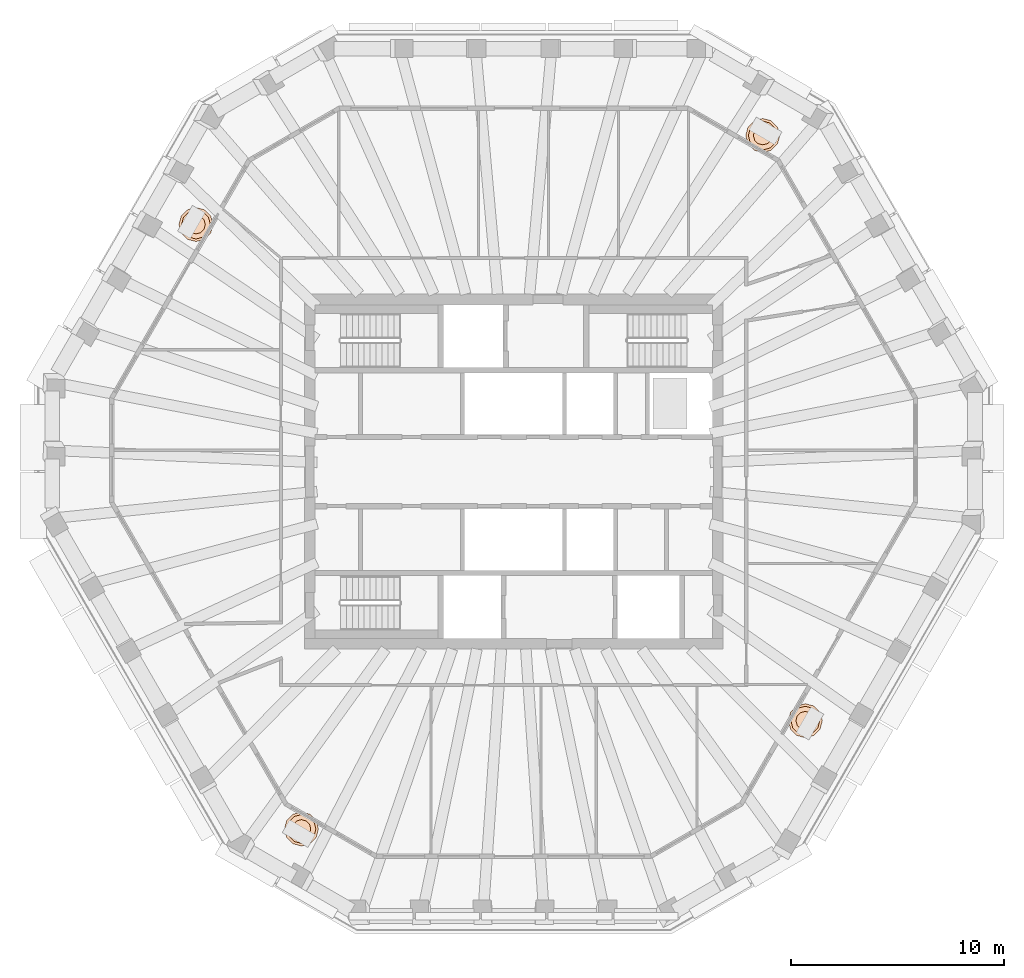
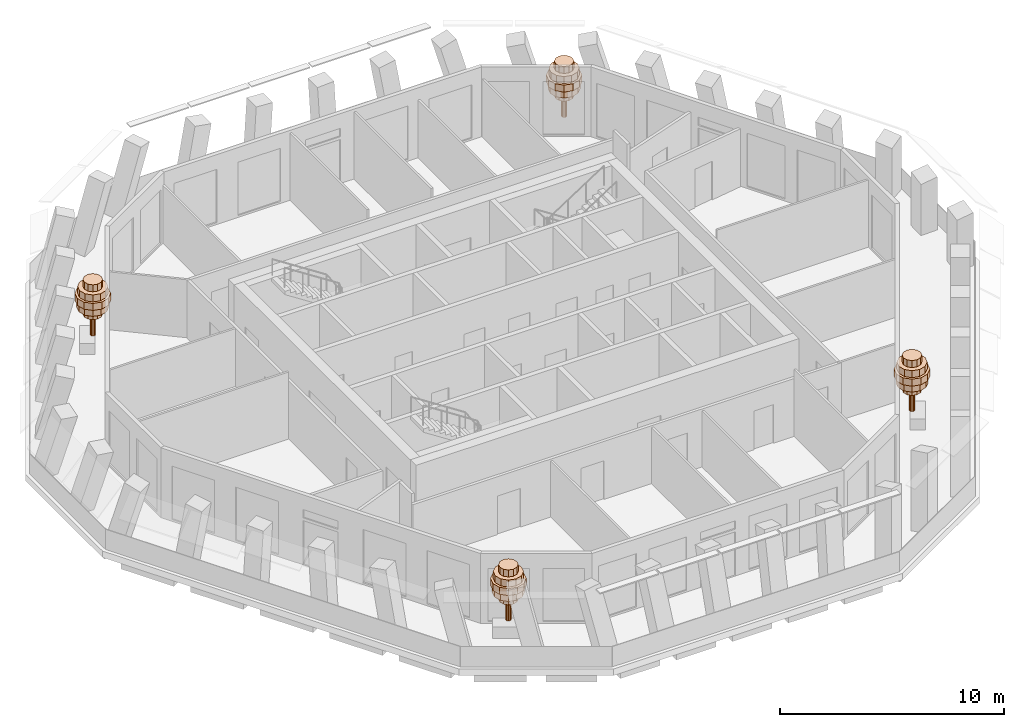
# One storey, part 11 of 11: 4 geographic elements.
"""IFC4 building model written with IfcOpenShell, lengths in metres."""

from ifc_helpers import new_model, si_unit, direction, frame, origin, place, context, subcontext, project, spatial, polyline, outline, extrude, material, type_object, element, save


model = new_model("IFC4")

# Units and contexts
model_context = context("Model", 3, precision=1e-05, world=origin(), true_north=direction((0.0, 1.0)))
body_context = subcontext(model_context, "Body", "Model", "MODEL_VIEW")
ifc_project = project(units=[si_unit("LENGTHUNIT", "METRE"), si_unit("AREAUNIT", "SQUARE_METRE"), si_unit("VOLUMEUNIT", "CUBIC_METRE"), si_unit("PLANEANGLEUNIT", "RADIAN"), si_unit("MASSUNIT", "GRAM", prefix="KILO")], contexts=[model_context])

# Site, building, storey
site_placement = place(None, origin())
site = spatial("IfcSite", under=ifc_project, at=site_placement, CompositionType="ELEMENT")
building_placement = place(site_placement, origin())
building = spatial("IfcBuilding", under=site, at=building_placement, Name="Frailejon Research Tower", CompositionType="ELEMENT")
storey_placement = place(building_placement, frame((0.0, 0.0, 340.60009765625)))
storey = spatial("IfcBuildingStorey", under=building, at=storey_placement, Name="L76", CompositionType="ELEMENT", Elevation=340.60009765625)

# Geographic elements
ifc_material = material(Name="Foliage, green")
geographic_element_type = type_object("IfcGeographicElementType", Name="Frailejon tree, loggia", PredefinedType="USERDEFINED", material=ifc_material)
geographic_element_1_placement = place(storey_placement, frame((11.72509765625, 15.814453125, 0.599853515625)))
element("IfcGeographicElement", 1, at=geographic_element_1_placement, inside=storey, type_object=geographic_element_type, Name="Tree L76", ObjectType="TREE", PredefinedType="USERDEFINED", context=body_context, shape_type="SweptSolid", body=[
    extrude(outline(polyline([(0.1298828125, 0.0), (0.112548828125, 0.06494140625), (0.06494140625, 0.112548828125), (0.0, 0.1298828125), (-0.06494140625, 0.112548828125), (-0.112548828125, 0.06494140625), (-0.1298828125, 0.0), (-0.112548828125, -0.06494140625), (-0.06494140625, -0.112548828125), (0.0, -0.1298828125), (0.06494140625, -0.112548828125), (0.112548828125, -0.06494140625), (0.1298828125, 0.0)])), origin(), (0.0, 0.0, 1.0), 2.239990234375),
    extrude(outline(polyline([(0.43994140625, 0.0), (0.381103515625, 0.219970703125), (0.219970703125, 0.381103515625), (0.0, 0.43994140625), (-0.219970703125, 0.381103515625), (-0.381103515625, 0.219970703125), (-0.43994140625, 0.0), (-0.381103515625, -0.219970703125), (-0.219970703125, -0.381103515625), (0.0, -0.43994140625), (0.219970703125, -0.381103515625), (0.381103515625, -0.219970703125), (0.43994140625, 0.0)])), frame((0.0, 0.0, 1.10009765625)), (0.0, 0.0, 1.0), 0.3798828125),
    extrude(outline(polyline([(0.719970703125, 0.0), (0.62353515625, 0.360107421875), (0.360107421875, 0.62353515625), (0.0, 0.719970703125), (-0.360107421875, 0.62353515625), (-0.62353515625, 0.360107421875), (-0.719970703125, 0.0), (-0.62353515625, -0.360107421875), (-0.360107421875, -0.62353515625), (0.0, -0.719970703125), (0.360107421875, -0.62353515625), (0.62353515625, -0.360107421875), (0.719970703125, 0.0)])), frame((0.0, 0.0, 1.47998046875)), (0.0, 0.0, 1.0), 0.3798828125),
    extrude(outline(polyline([(0.800048828125, 0.0), (0.69287109375, 0.39990234375), (0.39990234375, 0.69287109375), (0.0, 0.800048828125), (-0.39990234375, 0.69287109375), (-0.69287109375, 0.39990234375), (-0.800048828125, 0.0), (-0.69287109375, -0.39990234375), (-0.39990234375, -0.69287109375), (0.0, -0.800048828125), (0.39990234375, -0.69287109375), (0.69287109375, -0.39990234375), (0.800048828125, 0.0)])), frame((0.0, 0.0, 1.860107421875)), (0.0, 0.0, 1.0), 0.3798828125),
    extrude(outline(polyline([(0.679931640625, 0.0), (0.5888671875, 0.340087890625), (0.340087890625, 0.5888671875), (0.0, 0.679931640625), (-0.340087890625, 0.5888671875), (-0.5888671875, 0.340087890625), (-0.679931640625, 0.0), (-0.5888671875, -0.340087890625), (-0.340087890625, -0.5888671875), (0.0, -0.679931640625), (0.340087890625, -0.5888671875), (0.5888671875, -0.340087890625), (0.679931640625, 0.0)])), frame((0.0, 0.0, 2.239990234375)), (0.0, 0.0, 1.0), 0.3798828125),
    extrude(outline(polyline([(0.43994140625, 0.0), (0.381103515625, 0.219970703125), (0.219970703125, 0.381103515625), (0.0, 0.43994140625), (-0.219970703125, 0.381103515625), (-0.381103515625, 0.219970703125), (-0.43994140625, 0.0), (-0.381103515625, -0.219970703125), (-0.219970703125, -0.381103515625), (0.0, -0.43994140625), (0.219970703125, -0.381103515625), (0.381103515625, -0.219970703125), (0.43994140625, 0.0)])), frame((0.0, 0.0, 2.6201171875)), (0.0, 0.0, 1.0), 0.3798828125),
])
geographic_element_2_placement = place(storey_placement, frame((-14.9462890625, 11.62353515625, 0.599853515625)))
element("IfcGeographicElement", 2, at=geographic_element_2_placement, inside=storey, type_object=geographic_element_type, Name="Tree L76", ObjectType="TREE", PredefinedType="USERDEFINED", context=body_context, shape_type="SweptSolid", body=[
    extrude(outline(polyline([(0.1298828125, 0.0), (0.112548828125, 0.06494140625), (0.06494140625, 0.112548828125), (0.0, 0.1298828125), (-0.06494140625, 0.112548828125), (-0.112548828125, 0.06494140625), (-0.1298828125, 0.0), (-0.112548828125, -0.06494140625), (-0.06494140625, -0.112548828125), (0.0, -0.1298828125), (0.06494140625, -0.112548828125), (0.112548828125, -0.06494140625), (0.1298828125, 0.0)])), origin(), (0.0, 0.0, 1.0), 2.239990234375),
    extrude(outline(polyline([(0.43994140625, 0.0), (0.381103515625, 0.219970703125), (0.219970703125, 0.381103515625), (0.0, 0.43994140625), (-0.219970703125, 0.381103515625), (-0.381103515625, 0.219970703125), (-0.43994140625, 0.0), (-0.381103515625, -0.219970703125), (-0.219970703125, -0.381103515625), (0.0, -0.43994140625), (0.219970703125, -0.381103515625), (0.381103515625, -0.219970703125), (0.43994140625, 0.0)])), frame((0.0, 0.0, 1.10009765625)), (0.0, 0.0, 1.0), 0.3798828125),
    extrude(outline(polyline([(0.719970703125, 0.0), (0.62353515625, 0.360107421875), (0.360107421875, 0.62353515625), (0.0, 0.719970703125), (-0.360107421875, 0.62353515625), (-0.62353515625, 0.360107421875), (-0.719970703125, 0.0), (-0.62353515625, -0.360107421875), (-0.360107421875, -0.62353515625), (0.0, -0.719970703125), (0.360107421875, -0.62353515625), (0.62353515625, -0.360107421875), (0.719970703125, 0.0)])), frame((0.0, 0.0, 1.47998046875)), (0.0, 0.0, 1.0), 0.3798828125),
    extrude(outline(polyline([(0.800048828125, 0.0), (0.69287109375, 0.39990234375), (0.39990234375, 0.69287109375), (0.0, 0.800048828125), (-0.39990234375, 0.69287109375), (-0.69287109375, 0.39990234375), (-0.800048828125, 0.0), (-0.69287109375, -0.39990234375), (-0.39990234375, -0.69287109375), (0.0, -0.800048828125), (0.39990234375, -0.69287109375), (0.69287109375, -0.39990234375), (0.800048828125, 0.0)])), frame((0.0, 0.0, 1.860107421875)), (0.0, 0.0, 1.0), 0.3798828125),
    extrude(outline(polyline([(0.679931640625, 0.0), (0.5888671875, 0.340087890625), (0.340087890625, 0.5888671875), (0.0, 0.679931640625), (-0.340087890625, 0.5888671875), (-0.5888671875, 0.340087890625), (-0.679931640625, 0.0), (-0.5888671875, -0.340087890625), (-0.340087890625, -0.5888671875), (0.0, -0.679931640625), (0.340087890625, -0.5888671875), (0.5888671875, -0.340087890625), (0.679931640625, 0.0)])), frame((0.0, 0.0, 2.239990234375)), (0.0, 0.0, 1.0), 0.3798828125),
    extrude(outline(polyline([(0.43994140625, 0.0), (0.381103515625, 0.219970703125), (0.219970703125, 0.381103515625), (0.0, 0.43994140625), (-0.219970703125, 0.381103515625), (-0.381103515625, 0.219970703125), (-0.43994140625, 0.0), (-0.381103515625, -0.219970703125), (-0.219970703125, -0.381103515625), (0.0, -0.43994140625), (0.219970703125, -0.381103515625), (0.381103515625, -0.219970703125), (0.43994140625, 0.0)])), frame((0.0, 0.0, 2.6201171875)), (0.0, 0.0, 1.0), 0.3798828125),
])
geographic_element_3_placement = place(storey_placement, frame((-9.983154296875, -16.820068359375, 0.599853515625)))
element("IfcGeographicElement", 3, at=geographic_element_3_placement, inside=storey, type_object=geographic_element_type, Name="Tree L76", ObjectType="TREE", PredefinedType="USERDEFINED", context=body_context, shape_type="SweptSolid", body=[
    extrude(outline(polyline([(0.1298828125, 0.0), (0.112548828125, 0.06494140625), (0.06494140625, 0.112548828125), (0.0, 0.1298828125), (-0.06494140625, 0.112548828125), (-0.112548828125, 0.06494140625), (-0.1298828125, 0.0), (-0.112548828125, -0.06494140625), (-0.06494140625, -0.112548828125), (0.0, -0.1298828125), (0.06494140625, -0.112548828125), (0.112548828125, -0.06494140625), (0.1298828125, 0.0)])), origin(), (0.0, 0.0, 1.0), 2.239990234375),
    extrude(outline(polyline([(0.43994140625, 0.0), (0.381103515625, 0.219970703125), (0.219970703125, 0.381103515625), (0.0, 0.43994140625), (-0.219970703125, 0.381103515625), (-0.381103515625, 0.219970703125), (-0.43994140625, 0.0), (-0.381103515625, -0.219970703125), (-0.219970703125, -0.381103515625), (0.0, -0.43994140625), (0.219970703125, -0.381103515625), (0.381103515625, -0.219970703125), (0.43994140625, 0.0)])), frame((0.0, 0.0, 1.10009765625)), (0.0, 0.0, 1.0), 0.3798828125),
    extrude(outline(polyline([(0.719970703125, 0.0), (0.62353515625, 0.360107421875), (0.360107421875, 0.62353515625), (0.0, 0.719970703125), (-0.360107421875, 0.62353515625), (-0.62353515625, 0.360107421875), (-0.719970703125, 0.0), (-0.62353515625, -0.360107421875), (-0.360107421875, -0.62353515625), (0.0, -0.719970703125), (0.360107421875, -0.62353515625), (0.62353515625, -0.360107421875), (0.719970703125, 0.0)])), frame((0.0, 0.0, 1.47998046875)), (0.0, 0.0, 1.0), 0.3798828125),
    extrude(outline(polyline([(0.800048828125, 0.0), (0.69287109375, 0.39990234375), (0.39990234375, 0.69287109375), (0.0, 0.800048828125), (-0.39990234375, 0.69287109375), (-0.69287109375, 0.39990234375), (-0.800048828125, 0.0), (-0.69287109375, -0.39990234375), (-0.39990234375, -0.69287109375), (0.0, -0.800048828125), (0.39990234375, -0.69287109375), (0.69287109375, -0.39990234375), (0.800048828125, 0.0)])), frame((0.0, 0.0, 1.860107421875)), (0.0, 0.0, 1.0), 0.3798828125),
    extrude(outline(polyline([(0.679931640625, 0.0), (0.5888671875, 0.340087890625), (0.340087890625, 0.5888671875), (0.0, 0.679931640625), (-0.340087890625, 0.5888671875), (-0.5888671875, 0.340087890625), (-0.679931640625, 0.0), (-0.5888671875, -0.340087890625), (-0.340087890625, -0.5888671875), (0.0, -0.679931640625), (0.340087890625, -0.5888671875), (0.5888671875, -0.340087890625), (0.679931640625, 0.0)])), frame((0.0, 0.0, 2.239990234375)), (0.0, 0.0, 1.0), 0.3798828125),
    extrude(outline(polyline([(0.43994140625, 0.0), (0.381103515625, 0.219970703125), (0.219970703125, 0.381103515625), (0.0, 0.43994140625), (-0.219970703125, 0.381103515625), (-0.381103515625, 0.219970703125), (-0.43994140625, 0.0), (-0.381103515625, -0.219970703125), (-0.219970703125, -0.381103515625), (0.0, -0.43994140625), (0.219970703125, -0.381103515625), (0.381103515625, -0.219970703125), (0.43994140625, 0.0)])), frame((0.0, 0.0, 2.6201171875)), (0.0, 0.0, 1.0), 0.3798828125),
])
geographic_element_4_placement = place(storey_placement, frame((13.72705078125, -11.72412109375, 0.599853515625)))
element("IfcGeographicElement", 4, at=geographic_element_4_placement, inside=storey, type_object=geographic_element_type, Name="Tree L76", ObjectType="TREE", PredefinedType="USERDEFINED", context=body_context, shape_type="SweptSolid", body=[
    extrude(outline(polyline([(0.1298828125, 0.0), (0.112548828125, 0.06494140625), (0.06494140625, 0.112548828125), (0.0, 0.1298828125), (-0.06494140625, 0.112548828125), (-0.112548828125, 0.06494140625), (-0.1298828125, 0.0), (-0.112548828125, -0.06494140625), (-0.06494140625, -0.112548828125), (0.0, -0.1298828125), (0.06494140625, -0.112548828125), (0.112548828125, -0.06494140625), (0.1298828125, 0.0)])), origin(), (0.0, 0.0, 1.0), 2.239990234375),
    extrude(outline(polyline([(0.43994140625, 0.0), (0.381103515625, 0.219970703125), (0.219970703125, 0.381103515625), (0.0, 0.43994140625), (-0.219970703125, 0.381103515625), (-0.381103515625, 0.219970703125), (-0.43994140625, 0.0), (-0.381103515625, -0.219970703125), (-0.219970703125, -0.381103515625), (0.0, -0.43994140625), (0.219970703125, -0.381103515625), (0.381103515625, -0.219970703125), (0.43994140625, 0.0)])), frame((0.0, 0.0, 1.10009765625)), (0.0, 0.0, 1.0), 0.3798828125),
    extrude(outline(polyline([(0.719970703125, 0.0), (0.62353515625, 0.360107421875), (0.360107421875, 0.62353515625), (0.0, 0.719970703125), (-0.360107421875, 0.62353515625), (-0.62353515625, 0.360107421875), (-0.719970703125, 0.0), (-0.62353515625, -0.360107421875), (-0.360107421875, -0.62353515625), (0.0, -0.719970703125), (0.360107421875, -0.62353515625), (0.62353515625, -0.360107421875), (0.719970703125, 0.0)])), frame((0.0, 0.0, 1.47998046875)), (0.0, 0.0, 1.0), 0.3798828125),
    extrude(outline(polyline([(0.800048828125, 0.0), (0.69287109375, 0.39990234375), (0.39990234375, 0.69287109375), (0.0, 0.800048828125), (-0.39990234375, 0.69287109375), (-0.69287109375, 0.39990234375), (-0.800048828125, 0.0), (-0.69287109375, -0.39990234375), (-0.39990234375, -0.69287109375), (0.0, -0.800048828125), (0.39990234375, -0.69287109375), (0.69287109375, -0.39990234375), (0.800048828125, 0.0)])), frame((0.0, 0.0, 1.860107421875)), (0.0, 0.0, 1.0), 0.3798828125),
    extrude(outline(polyline([(0.679931640625, 0.0), (0.5888671875, 0.340087890625), (0.340087890625, 0.5888671875), (0.0, 0.679931640625), (-0.340087890625, 0.5888671875), (-0.5888671875, 0.340087890625), (-0.679931640625, 0.0), (-0.5888671875, -0.340087890625), (-0.340087890625, -0.5888671875), (0.0, -0.679931640625), (0.340087890625, -0.5888671875), (0.5888671875, -0.340087890625), (0.679931640625, 0.0)])), frame((0.0, 0.0, 2.239990234375)), (0.0, 0.0, 1.0), 0.3798828125),
    extrude(outline(polyline([(0.43994140625, 0.0), (0.381103515625, 0.219970703125), (0.219970703125, 0.381103515625), (0.0, 0.43994140625), (-0.219970703125, 0.381103515625), (-0.381103515625, 0.219970703125), (-0.43994140625, 0.0), (-0.381103515625, -0.219970703125), (-0.219970703125, -0.381103515625), (0.0, -0.43994140625), (0.219970703125, -0.381103515625), (0.381103515625, -0.219970703125), (0.43994140625, 0.0)])), frame((0.0, 0.0, 2.6201171875)), (0.0, 0.0, 1.0), 0.3798828125),
])

save(model, "model.ifc")
